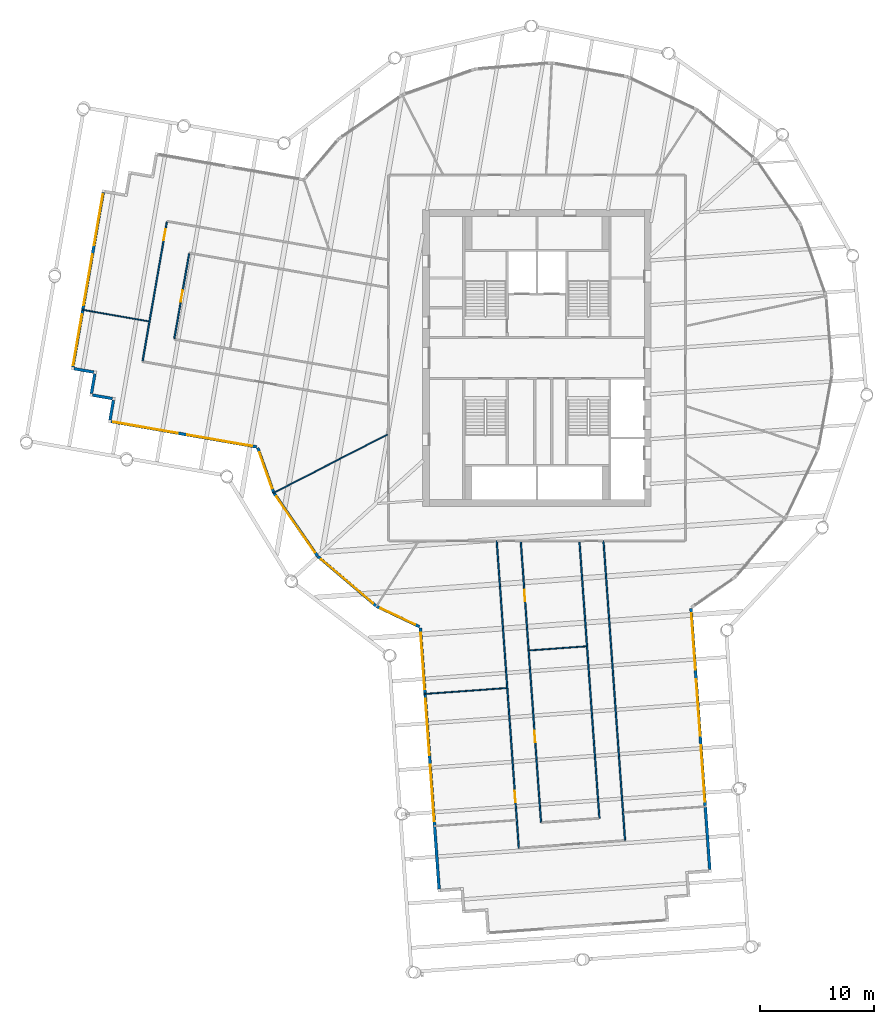
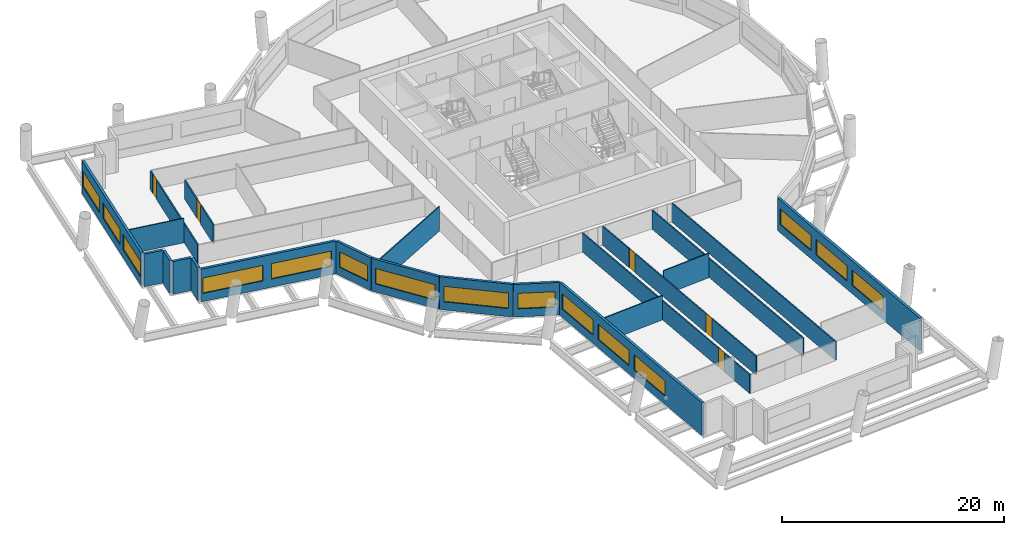
# One storey, part 3 of 11: 22 walls, 15 windows, 5 doors, 20 openings.
"""IFC4 building model written with IfcOpenShell, lengths in metres."""

from ifc_helpers import new_model, si_unit, direction, frame, frame_2d, origin, place, context, subcontext, project, spatial, rectangle, extrude, material, layer, layer_set, type_object, element, fill, save


model = new_model("IFC4")

# Units and contexts
model_context = context("Model", 3, precision=1e-05, world=origin(), true_north=direction((0.0, 1.0)))
body_context = subcontext(model_context, "Body", "Model", "MODEL_VIEW")
ifc_project = project(units=[si_unit("LENGTHUNIT", "METRE"), si_unit("AREAUNIT", "SQUARE_METRE"), si_unit("VOLUMEUNIT", "CUBIC_METRE"), si_unit("PLANEANGLEUNIT", "RADIAN"), si_unit("MASSUNIT", "GRAM", prefix="KILO")], contexts=[model_context])

# Site, building, storey
site_placement = place(None, origin())
site = spatial("IfcSite", under=ifc_project, at=site_placement, CompositionType="ELEMENT")
building_placement = place(site_placement, origin())
building = spatial("IfcBuilding", under=site, at=building_placement, Name="Tarsis Ring Headquarters", CompositionType="ELEMENT")
storey_placement = place(building_placement, frame((0.0, 0.0, 243.300048828125)))
storey = spatial("IfcBuildingStorey", under=building, at=storey_placement, Name="L57", CompositionType="ELEMENT", Elevation=243.300048828125)

# Walls
ifc_material_1 = material(Name="Gypsum board on steel studs", Category="steel")
ifc_layer_1 = layer(ifc_material_1, 0.10009765625)
ifc_layer_set_1 = layer_set([ifc_layer_1], Name="FL partition 100 unrated")
wall_type_1 = type_object("IfcWallType", Name="FL partition 100 unrated", PredefinedType="PARTITIONING", material=ifc_layer_set_1)
wall_1_placement = place(storey_placement, frame((-23.094970703125, -11.82861328125, 0.0), z_axis=(0.0, 0.0, 1.0), x_axis=(0.890050021231, 0.455862873798, 0.0)))
element("IfcWall", 1, at=wall_1_placement, inside=storey, type_object=wall_type_1, Name="Partition PW3", PredefinedType="PARTITIONING", context=body_context, shape_type="SweptSolid", body=[
    extrude(rectangle(XDim=11.251953125, YDim=0.10009765625, at=frame_2d((5.6259765625, 0.0))), origin(), (0.0, 0.0, 1.0), 2.699951171875),
])
wall_2_placement = place(storey_placement, frame((-9.86279296875, -29.404541015625, 0.0), z_axis=(0.0, 0.0, 1.0), x_axis=(0.997417336731, 0.071823787063, 0.0)))
element("IfcWall", 2, at=wall_2_placement, inside=storey, type_object=wall_type_1, Name="Partition PW3", PredefinedType="PARTITIONING", context=body_context, shape_type="SweptSolid", body=[
    extrude(rectangle(XDim=7.2197265625, YDim=0.10009765625, at=frame_2d((3.60986328125, 0.0))), origin(), (0.0, 0.0, 1.0), 2.699951171875),
])
wall_3_placement = place(storey_placement, frame((-39.815673828125, 4.224365234375, 0.0), z_axis=(0.0, 0.0, 1.0), x_axis=(0.985167000364, -0.171598314076, 0.0)))
element("IfcWall", 3, at=wall_3_placement, inside=storey, type_object=wall_type_1, Name="Partition PW3", PredefinedType="PARTITIONING", context=body_context, shape_type="SweptSolid", body=[
    extrude(rectangle(XDim=5.929931640625, YDim=0.10009765625, at=frame_2d((2.96484375, 0.0))), origin(), (0.0, 0.0, 1.0), 2.699951171875),
])
wall_4_placement = place(storey_placement, frame((-0.65283203125, -25.593017578125, 0.0), z_axis=(0.0, 0.0, 1.0), x_axis=(0.997417472469, 0.071821902048, 0.0)))
element("IfcWall", 4, at=wall_4_placement, inside=storey, type_object=wall_type_1, Name="Partition PW3", PredefinedType="PARTITIONING", context=body_context, shape_type="SweptSolid", body=[
    extrude(rectangle(XDim=4.97998046875, YDim=0.10009765625, at=frame_2d((2.489990234375, 0.0))), origin(), (0.0, 0.0, 1.0), 2.699951171875),
])

# Wall, opening, door
ifc_layer_2 = layer(ifc_material_1, 0.125)
ifc_layer_set_2 = layer_set([ifc_layer_2], Name="FL partition 125 EI 60 H2080")
wall_type_2 = type_object("IfcWallType", Name="FL partition 125 EI 60 H2080", PredefinedType="PARTITIONING", material=ifc_layer_set_2)
wall_5_placement = place(storey_placement, frame((-3.51953125, -16.0, 0.0), z_axis=(0.0, 0.0, 1.0), x_axis=(0.071845444716, -0.997415776932, 0.0)))
wall_5 = element("IfcWall", 5, at=wall_5_placement, inside=storey, type_object=wall_type_2, Name="Partition PW1H208", PredefinedType="PARTITIONING", context=body_context, shape_type="SweptSolid", body=[
    extrude(rectangle(XDim=26.964111328125, YDim=0.125, at=frame_2d((13.48193359375, 0.0))), origin(), (0.0, 0.0, 1.0), 2.079833984375),
])
opening_1_placement = place(wall_5_placement, frame((21.943603515625, 0.0, 0.0)))
opening_1 = element("IfcOpeningElement", 6, at=opening_1_placement, cuts=wall_5, Name="Opening D57.11", PredefinedType="OPENING", context=body_context, shape_type="SweptSolid", body=[
    extrude(rectangle(XDim=1.0, YDim=2.10009765625, at=frame_2d((0.5, 1.050048828125))), frame((0.0, 0.072509765625, 0.0), z_axis=(0.0, -1.0, 0.0), x_axis=(1.0, 0.0, 0.0)), (0.0, 0.0, 1.0), 0.14501953125),
])
ifc_material_2 = material(Name="Fire-rated timber door leaf in steel frame", Category="steel")
door_type = type_object("IfcDoorType", Name="FL door FD60-1000", OperationType="NOTDEFINED", PredefinedType="DOOR", material=ifc_material_2)
door_1_placement = place(opening_1_placement, origin())
door_1 = element("IfcDoor", 7, at=door_1_placement, inside=storey, type_object=door_type, Name="Door D57.11", OperationType="SINGLE_SWING_RIGHT", OverallHeight=2.10009765625, OverallWidth=1.0, PredefinedType="DOOR", context=body_context, shape_type="SweptSolid", body=[
    extrude(rectangle(XDim=1.0, YDim=2.10009765625, at=frame_2d((0.5, 1.050048828125))), frame((0.0, 0.02490234375, 0.0), z_axis=(0.0, -1.0, 0.0), x_axis=(1.0, 0.0, 0.0)), (0.0, 0.0, 1.0), 0.050048828125),
])
fill(opening_1, door_1)

# Wall
wall_6_placement = place(storey_placement, frame((5.82470703125, -16.0, 0.0), z_axis=(0.0, 0.0, 1.0), x_axis=(0.071841589456, -0.997416054625, 0.0)))
element("IfcWall", 8, at=wall_6_placement, inside=storey, type_object=wall_type_2, Name="Partition PW1H208", PredefinedType="PARTITIONING", context=body_context, shape_type="SweptSolid", body=[
    extrude(rectangle(XDim=26.292724609375, YDim=0.125, at=frame_2d((13.146484375, 0.0))), origin(), (0.0, 0.0, 1.0), 2.079833984375),
])

# Wall, openings, doors
wall_7_placement = place(storey_placement, frame((-1.4091796875, -16.06982421875, 0.0), z_axis=(0.0, 0.0, 1.0), x_axis=(0.071846189549, -0.997415723281, 0.0)))
wall_7 = element("IfcWall", 9, at=wall_7_placement, inside=storey, type_object=wall_type_2, Name="Partition PW1H208", PredefinedType="PARTITIONING", context=body_context, shape_type="SweptSolid", body=[
    extrude(rectangle(XDim=24.64306640625, YDim=0.125, at=frame_2d((12.321533203125, 0.0))), origin(), (0.0, 0.0, 1.0), 2.079833984375),
])
opening_2_placement = place(wall_7_placement, frame((4.243408203125, 0.0, 0.0)))
opening_2 = element("IfcOpeningElement", 10, at=opening_2_placement, cuts=wall_7, Name="Opening D57.16", PredefinedType="OPENING", context=body_context, shape_type="SweptSolid", body=[
    extrude(rectangle(XDim=1.0, YDim=2.10009765625, at=frame_2d((0.5, 1.050048828125))), frame((0.0, 0.072509765625, 0.0), z_axis=(0.0, -1.0, 0.0), x_axis=(1.0, 0.0, 0.0)), (0.0, 0.0, 1.0), 0.14501953125),
])
opening_3_placement = place(wall_7_placement, frame((16.599853515625, 0.0, 0.0)))
opening_3 = element("IfcOpeningElement", 11, at=opening_3_placement, cuts=wall_7, Name="Opening D57.17", PredefinedType="OPENING", context=body_context, shape_type="SweptSolid", body=[
    extrude(rectangle(XDim=1.0, YDim=2.10009765625, at=frame_2d((0.5, 1.050048828125))), frame((0.0, 0.072509765625, 0.0), z_axis=(0.0, -1.0, 0.0), x_axis=(1.0, 0.0, 0.0)), (0.0, 0.0, 1.0), 0.14501953125),
])
door_2_placement = place(opening_2_placement, origin())
door_2 = element("IfcDoor", 12, at=door_2_placement, inside=storey, type_object=door_type, Name="Door D57.16", OperationType="SINGLE_SWING_LEFT", OverallHeight=2.10009765625, OverallWidth=1.0, PredefinedType="DOOR", context=body_context, shape_type="SweptSolid", body=[
    extrude(rectangle(XDim=1.0, YDim=2.10009765625, at=frame_2d((0.5, 1.050048828125))), frame((0.0, 0.02490234375, 0.0), z_axis=(0.0, -1.0, 0.0), x_axis=(1.0, 0.0, 0.0)), (0.0, 0.0, 1.0), 0.050048828125),
])
fill(opening_2, door_2)
door_3_placement = place(opening_3_placement, origin())
door_3 = element("IfcDoor", 13, at=door_3_placement, inside=storey, type_object=door_type, Name="Door D57.17", OperationType="SINGLE_SWING_RIGHT", OverallHeight=2.10009765625, OverallWidth=1.0, PredefinedType="DOOR", context=body_context, shape_type="SweptSolid", body=[
    extrude(rectangle(XDim=1.0, YDim=2.10009765625, at=frame_2d((0.5, 1.050048828125))), frame((0.0, 0.02490234375, 0.0), z_axis=(0.0, -1.0, 0.0), x_axis=(1.0, 0.0, 0.0)), (0.0, 0.0, 1.0), 0.050048828125),
])
fill(opening_3, door_3)

# Wall
wall_8_placement = place(storey_placement, frame((3.72412109375, -16.06982421875, 0.0), z_axis=(0.0, 0.0, 1.0), x_axis=(0.071851720087, -0.997415324888, 0.0)))
element("IfcWall", 14, at=wall_8_placement, inside=storey, type_object=wall_type_2, Name="Partition PW1H208", PredefinedType="PARTITIONING", context=body_context, shape_type="SweptSolid", body=[
    extrude(rectangle(XDim=24.274169921875, YDim=0.125, at=frame_2d((12.13720703125, 0.0))), origin(), (0.0, 0.0, 1.0), 2.079833984375),
])

# Wall, opening, door
wall_9_placement = place(storey_placement, frame((-34.505126953125, -0.253173828125, 0.0), z_axis=(0.0, 0.0, 1.0), x_axis=(0.171590816748, 0.985168306234, 0.0)))
wall_9 = element("IfcWall", 15, at=wall_9_placement, inside=storey, type_object=wall_type_2, Name="Partition PW1H208", PredefinedType="PARTITIONING", context=body_context, shape_type="SweptSolid", body=[
    extrude(rectangle(XDim=12.340087890625, YDim=0.125, at=frame_2d((6.169921875, 0.0))), origin(), (0.0, 0.0, 1.0), 2.079833984375),
])
opening_4_placement = place(wall_9_placement, frame((10.699951171875, 0.0, 0.0)))
opening_4 = element("IfcOpeningElement", 16, at=opening_4_placement, cuts=wall_9, Name="Opening D57.02", PredefinedType="OPENING", context=body_context, shape_type="SweptSolid", body=[
    extrude(rectangle(XDim=1.0, YDim=2.10009765625, at=frame_2d((0.5, 1.050048828125))), frame((0.0, 0.072509765625, 0.0), z_axis=(0.0, -1.0, 0.0), x_axis=(1.0, 0.0, 0.0)), (0.0, 0.0, 1.0), 0.14501953125),
])
door_4_placement = place(opening_4_placement, origin())
door_4 = element("IfcDoor", 17, at=door_4_placement, inside=storey, type_object=door_type, Name="Door D57.02", OperationType="SINGLE_SWING_LEFT", OverallHeight=2.10009765625, OverallWidth=1.0, PredefinedType="DOOR", context=body_context, shape_type="SweptSolid", body=[
    extrude(rectangle(XDim=1.0, YDim=2.10009765625, at=frame_2d((0.5, 1.050048828125))), frame((0.0, 0.02490234375, 0.0), z_axis=(0.0, -1.0, 0.0), x_axis=(1.0, 0.0, 0.0)), (0.0, 0.0, 1.0), 0.050048828125),
])
fill(opening_4, door_4)

wall_10_placement = place(storey_placement, frame((-31.72900390625, 1.699462890625, 0.0), z_axis=(0.0, 0.0, 1.0), x_axis=(0.171577567942, 0.985170613741, 0.0)))
wall_10 = element("IfcWall", 18, at=wall_10_placement, inside=storey, type_object=wall_type_2, Name="Partition PW1H208", PredefinedType="PARTITIONING", context=body_context, shape_type="SweptSolid", body=[
    extrude(rectangle(XDim=7.5400390625, YDim=0.125, at=frame_2d((3.77001953125, 0.0))), origin(), (0.0, 0.0, 1.0), 2.079833984375),
])
opening_5_placement = place(wall_10_placement, frame((3.27001953125, 0.0, 0.0)))
opening_5 = element("IfcOpeningElement", 19, at=opening_5_placement, cuts=wall_10, Name="Opening D57.15", PredefinedType="OPENING", context=body_context, shape_type="SweptSolid", body=[
    extrude(rectangle(XDim=1.0, YDim=2.10009765625, at=frame_2d((0.5, 1.050048828125))), frame((0.0, 0.072509765625, 0.0), z_axis=(0.0, -1.0, 0.0), x_axis=(1.0, 0.0, 0.0)), (0.0, 0.0, 1.0), 0.14501953125),
])
door_5_placement = place(opening_5_placement, origin())
door_5 = element("IfcDoor", 20, at=door_5_placement, inside=storey, type_object=door_type, Name="Door D57.15", OperationType="SINGLE_SWING_RIGHT", OverallHeight=2.10009765625, OverallWidth=1.0, PredefinedType="DOOR", context=body_context, shape_type="SweptSolid", body=[
    extrude(rectangle(XDim=1.0, YDim=2.10009765625, at=frame_2d((0.5, 1.050048828125))), frame((0.0, 0.02490234375, 0.0), z_axis=(0.0, -1.0, 0.0), x_axis=(1.0, 0.0, 0.0)), (0.0, 0.0, 1.0), 0.050048828125),
])
fill(opening_5, door_5)

# Wall, openings, windows
ifc_material_3 = material(Name="Terracotta clad insulated panel wall", Category="masonry")
ifc_layer_3 = layer(ifc_material_3, 0.25)
ifc_layer_set_3 = layer_set([ifc_layer_3], Name="Facade wall terracotta panel 250")
wall_type_3 = type_object("IfcWallType", Name="Facade wall terracotta panel 250", PredefinedType="STANDARD", material=ifc_layer_set_3)
wall_11_placement = place(storey_placement, frame((-37.25732421875, -5.564697265625, 0.0), z_axis=(0.0, 0.0, 1.0), x_axis=(0.985168181095, -0.171591535215, 0.0)))
wall_11 = element("IfcWall", 21, at=wall_11_placement, inside=storey, type_object=wall_type_3, Name="External wall L57-01", PredefinedType="STANDARD", context=body_context, shape_type="SweptSolid", body=[
    extrude(rectangle(XDim=12.921875, YDim=0.25, at=frame_2d((6.4609375, 0.0))), origin(), (0.0, 0.0, 1.0), 3.599853515625),
])
opening_6_placement = place(wall_11_placement, frame((0.16796875, 0.0, 0.89990234375)))
opening_6 = element("IfcOpeningElement", 22, at=opening_6_placement, cuts=wall_11, Name="Opening WN06", PredefinedType="OPENING", context=body_context, shape_type="SweptSolid", body=[
    extrude(rectangle(XDim=5.75, YDim=1.699951171875, at=frame_2d((2.875, 0.85009765625))), frame((0.0, 0.135009765625, 0.0), z_axis=(0.0, -1.0, 0.0), x_axis=(1.0, 0.0, 0.0)), (0.0, 0.0, 1.0), 0.27001953125),
])
opening_7_placement = place(wall_11_placement, frame((6.75390625, 0.0, 0.89990234375)))
opening_7 = element("IfcOpeningElement", 23, at=opening_7_placement, cuts=wall_11, Name="Opening WN06", PredefinedType="OPENING", context=body_context, shape_type="SweptSolid", body=[
    extrude(rectangle(XDim=5.75, YDim=1.699951171875, at=frame_2d((2.875, 0.85009765625))), frame((0.0, 0.135009765625, 0.0), z_axis=(0.0, -1.0, 0.0), x_axis=(1.0, 0.0, 0.0)), (0.0, 0.0, 1.0), 0.27001953125),
])
ifc_material_4 = material(Name="Aluminium framed double glazing", Category="aluminium")
window_type_1 = type_object("IfcWindowType", Name="Facade window 5750 x 1700", PartitioningType="SINGLE_PANEL", PredefinedType="WINDOW", material=ifc_material_4)
window_1_placement = place(opening_6_placement, origin())
window_1 = element("IfcWindow", 24, at=window_1_placement, inside=storey, type_object=window_type_1, Name="Window L57-01.1", OverallHeight=1.699951171875, OverallWidth=5.75, PartitioningType="SINGLE_PANEL", PredefinedType="WINDOW", context=body_context, shape_type="SweptSolid", body=[
    extrude(rectangle(XDim=5.75, YDim=1.699951171875, at=frame_2d((2.875, 0.85009765625))), frame((0.0, 0.030029296875, 0.0), z_axis=(0.0, -1.0, 0.0), x_axis=(1.0, 0.0, 0.0)), (0.0, 0.0, 1.0), 0.06005859375),
])
fill(opening_6, window_1)
window_2_placement = place(opening_7_placement, origin())
window_2 = element("IfcWindow", 25, at=window_2_placement, inside=storey, type_object=window_type_1, Name="Window L57-01.2", OverallHeight=1.699951171875, OverallWidth=5.75, PartitioningType="SINGLE_PANEL", PredefinedType="WINDOW", context=body_context, shape_type="SweptSolid", body=[
    extrude(rectangle(XDim=5.75, YDim=1.699951171875, at=frame_2d((2.875, 0.85009765625))), frame((0.0, 0.030029296875, 0.0), z_axis=(0.0, -1.0, 0.0), x_axis=(1.0, 0.0, 0.0)), (0.0, 0.0, 1.0), 0.06005859375),
])
fill(opening_7, window_2)

# Wall, opening, window
wall_12_placement = place(storey_placement, frame((-24.4306640625, -7.863037109375, 0.0), z_axis=(0.0, 0.0, 1.0), x_axis=(0.335767192704, -0.941945004925, 0.0)))
wall_12 = element("IfcWall", 26, at=wall_12_placement, inside=storey, type_object=wall_type_3, Name="External wall L57-02", PredefinedType="STANDARD", context=body_context, shape_type="SweptSolid", body=[
    extrude(rectangle(XDim=4.15771484375, YDim=0.25, at=frame_2d((2.078857421875, 0.0))), origin(), (0.0, 0.0, 1.0), 3.599853515625),
])
opening_8_placement = place(wall_12_placement, frame((0.420166015625, 0.0, 0.89990234375)))
opening_8 = element("IfcOpeningElement", 27, at=opening_8_placement, cuts=wall_12, Name="Opening WN01", PredefinedType="OPENING", context=body_context, shape_type="SweptSolid", body=[
    extrude(rectangle(XDim=3.35009765625, YDim=1.699951171875, at=frame_2d((1.675048828125, 0.85009765625))), frame((0.0, 0.135009765625, 0.0), z_axis=(0.0, -1.0, 0.0), x_axis=(1.0, 0.0, 0.0)), (0.0, 0.0, 1.0), 0.27001953125),
])
window_type_2 = type_object("IfcWindowType", Name="Facade window 3350 x 1700", PartitioningType="SINGLE_PANEL", PredefinedType="WINDOW", material=ifc_material_4)
window_3_placement = place(opening_8_placement, origin())
window_3 = element("IfcWindow", 28, at=window_3_placement, inside=storey, type_object=window_type_2, Name="Window L57-02.1", OverallHeight=1.699951171875, OverallWidth=3.35009765625, PartitioningType="SINGLE_PANEL", PredefinedType="WINDOW", context=body_context, shape_type="SweptSolid", body=[
    extrude(rectangle(XDim=3.35009765625, YDim=1.699951171875, at=frame_2d((1.675048828125, 0.85009765625))), frame((0.0, 0.030029296875, 0.0), z_axis=(0.0, -1.0, 0.0), x_axis=(1.0, 0.0, 0.0)), (0.0, 0.0, 1.0), 0.06005859375),
])
fill(opening_8, window_3)

wall_13_placement = place(storey_placement, frame((-23.019775390625, -11.808349609375, 0.0), z_axis=(0.0, 0.0, 1.0), x_axis=(0.568113998988, -0.82294986734, 0.0)))
wall_13 = element("IfcWall", 29, at=wall_13_placement, inside=storey, type_object=wall_type_3, Name="External wall L57-03", PredefinedType="STANDARD", context=body_context, shape_type="SweptSolid", body=[
    extrude(rectangle(XDim=6.721435546875, YDim=0.25, at=frame_2d((3.36083984375, 0.0))), origin(), (0.0, 0.0, 1.0), 3.599853515625),
])
opening_9_placement = place(wall_13_placement, frame((0.3857421875, 0.0, 0.89990234375)))
opening_9 = element("IfcOpeningElement", 30, at=opening_9_placement, cuts=wall_13, Name="Opening WN07", PredefinedType="OPENING", context=body_context, shape_type="SweptSolid", body=[
    extrude(rectangle(XDim=5.949951171875, YDim=1.699951171875, at=frame_2d((2.97509765625, 0.85009765625))), frame((0.0, 0.135009765625, 0.0), z_axis=(0.0, -1.0, 0.0), x_axis=(1.0, 0.0, 0.0)), (0.0, 0.0, 1.0), 0.27001953125),
])
window_type_3 = type_object("IfcWindowType", Name="Facade window 5950 x 1700", PartitioningType="SINGLE_PANEL", PredefinedType="WINDOW", material=ifc_material_4)
window_4_placement = place(opening_9_placement, origin())
window_4 = element("IfcWindow", 31, at=window_4_placement, inside=storey, type_object=window_type_3, Name="Window L57-03.1", OverallHeight=1.699951171875, OverallWidth=5.949951171875, PartitioningType="SINGLE_PANEL", PredefinedType="WINDOW", context=body_context, shape_type="SweptSolid", body=[
    extrude(rectangle(XDim=5.949951171875, YDim=1.699951171875, at=frame_2d((2.97509765625, 0.85009765625))), frame((0.0, 0.030029296875, 0.0), z_axis=(0.0, -1.0, 0.0), x_axis=(1.0, 0.0, 0.0)), (0.0, 0.0, 1.0), 0.06005859375),
])
fill(opening_9, window_4)

wall_14_placement = place(storey_placement, frame((-19.17919921875, -17.364013671875, 0.0), z_axis=(0.0, 0.0, 1.0), x_axis=(0.761763632453, -0.647855051899, 0.0)))
wall_14 = element("IfcWall", 32, at=wall_14_placement, inside=storey, type_object=wall_type_3, Name="External wall L57-04", PredefinedType="STANDARD", context=body_context, shape_type="SweptSolid", body=[
    extrude(rectangle(XDim=6.721435546875, YDim=0.25, at=frame_2d((3.36083984375, 0.0))), origin(), (0.0, 0.0, 1.0), 3.599853515625),
])
opening_10_placement = place(wall_14_placement, frame((0.3857421875, 0.0, 0.89990234375)))
opening_10 = element("IfcOpeningElement", 33, at=opening_10_placement, cuts=wall_14, Name="Opening WN07", PredefinedType="OPENING", context=body_context, shape_type="SweptSolid", body=[
    extrude(rectangle(XDim=5.949951171875, YDim=1.699951171875, at=frame_2d((2.97509765625, 0.85009765625))), frame((0.0, 0.135009765625, 0.0), z_axis=(0.0, -1.0, 0.0), x_axis=(1.0, 0.0, 0.0)), (0.0, 0.0, 1.0), 0.27001953125),
])
window_5_placement = place(opening_10_placement, origin())
window_5 = element("IfcWindow", 34, at=window_5_placement, inside=storey, type_object=window_type_3, Name="Window L57-04.1", OverallHeight=1.699951171875, OverallWidth=5.949951171875, PartitioningType="SINGLE_PANEL", PredefinedType="WINDOW", context=body_context, shape_type="SweptSolid", body=[
    extrude(rectangle(XDim=5.949951171875, YDim=1.699951171875, at=frame_2d((2.97509765625, 0.85009765625))), frame((0.0, 0.030029296875, 0.0), z_axis=(0.0, -1.0, 0.0), x_axis=(1.0, 0.0, 0.0)), (0.0, 0.0, 1.0), 0.06005859375),
])
fill(opening_10, window_5)

wall_15_placement = place(storey_placement, frame((-14.031494140625, -21.736328125, 0.0), z_axis=(0.0, 0.0, 1.0), x_axis=(0.903479392046, -0.428631529577, 0.0)))
wall_15 = element("IfcWall", 35, at=wall_15_placement, inside=storey, type_object=wall_type_3, Name="External wall L57-05", PredefinedType="STANDARD", context=body_context, shape_type="SweptSolid", body=[
    extrude(rectangle(XDim=4.157470703125, YDim=0.25, at=frame_2d((2.07861328125, 0.0))), origin(), (0.0, 0.0, 1.0), 3.599853515625),
])
opening_11_placement = place(wall_15_placement, frame((0.38720703125, 0.0, 0.89990234375)))
opening_11 = element("IfcOpeningElement", 36, at=opening_11_placement, cuts=wall_15, Name="Opening WN01", PredefinedType="OPENING", context=body_context, shape_type="SweptSolid", body=[
    extrude(rectangle(XDim=3.35009765625, YDim=1.699951171875, at=frame_2d((1.675048828125, 0.85009765625))), frame((0.0, 0.135009765625, 0.0), z_axis=(0.0, -1.0, 0.0), x_axis=(1.0, 0.0, 0.0)), (0.0, 0.0, 1.0), 0.27001953125),
])
window_6_placement = place(opening_11_placement, origin())
window_6 = element("IfcWindow", 37, at=window_6_placement, inside=storey, type_object=window_type_2, Name="Window L57-05.1", OverallHeight=1.699951171875, OverallWidth=3.35009765625, PartitioningType="SINGLE_PANEL", PredefinedType="WINDOW", context=body_context, shape_type="SweptSolid", body=[
    extrude(rectangle(XDim=3.35009765625, YDim=1.699951171875, at=frame_2d((1.675048828125, 0.85009765625))), frame((0.0, 0.030029296875, 0.0), z_axis=(0.0, -1.0, 0.0), x_axis=(1.0, 0.0, 0.0)), (0.0, 0.0, 1.0), 0.06005859375),
])
fill(opening_11, window_6)

# Wall, openings, windows
wall_16_placement = place(storey_placement, frame((-10.2041015625, -23.6220703125, 0.0), z_axis=(0.0, 0.0, 1.0), x_axis=(0.071840461275, -0.997416135885, 0.0)))
wall_16 = element("IfcWall", 38, at=wall_16_placement, inside=storey, type_object=wall_type_3, Name="External wall L57-06", PredefinedType="STANDARD", context=body_context, shape_type="SweptSolid", body=[
    extrude(rectangle(XDim=22.922119140625, YDim=0.25, at=frame_2d((11.4609375, 0.0))), origin(), (0.0, 0.0, 1.0), 3.599853515625),
])
opening_12_placement = place(wall_16_placement, frame((0.42138671875, 0.0, 0.89990234375)))
opening_12 = element("IfcOpeningElement", 39, at=opening_12_placement, cuts=wall_16, Name="Opening WN05", PredefinedType="OPENING", context=body_context, shape_type="SweptSolid", body=[
    extrude(rectangle(XDim=4.949951171875, YDim=1.699951171875, at=frame_2d((2.47509765625, 0.85009765625))), frame((0.0, 0.135009765625, 0.0), z_axis=(0.0, -1.0, 0.0), x_axis=(1.0, 0.0, 0.0)), (0.0, 0.0, 1.0), 0.27001953125),
])
opening_13_placement = place(wall_16_placement, frame((6.214599609375, 0.0, 0.89990234375)))
opening_13 = element("IfcOpeningElement", 40, at=opening_13_placement, cuts=wall_16, Name="Opening WN05", PredefinedType="OPENING", context=body_context, shape_type="SweptSolid", body=[
    extrude(rectangle(XDim=4.949951171875, YDim=1.699951171875, at=frame_2d((2.47509765625, 0.85009765625))), frame((0.0, 0.135009765625, 0.0), z_axis=(0.0, -1.0, 0.0), x_axis=(1.0, 0.0, 0.0)), (0.0, 0.0, 1.0), 0.27001953125),
])
opening_14_placement = place(wall_16_placement, frame((12.007568359375, 0.0, 0.89990234375)))
opening_14 = element("IfcOpeningElement", 41, at=opening_14_placement, cuts=wall_16, Name="Opening WN05", PredefinedType="OPENING", context=body_context, shape_type="SweptSolid", body=[
    extrude(rectangle(XDim=4.949951171875, YDim=1.699951171875, at=frame_2d((2.47509765625, 0.85009765625))), frame((0.0, 0.135009765625, 0.0), z_axis=(0.0, -1.0, 0.0), x_axis=(1.0, 0.0, 0.0)), (0.0, 0.0, 1.0), 0.27001953125),
])
window_type_4 = type_object("IfcWindowType", Name="Facade window 4950 x 1700", PartitioningType="SINGLE_PANEL", PredefinedType="WINDOW", material=ifc_material_4)
window_7_placement = place(opening_12_placement, origin())
window_7 = element("IfcWindow", 42, at=window_7_placement, inside=storey, type_object=window_type_4, Name="Window L57-06.1", OverallHeight=1.699951171875, OverallWidth=4.949951171875, PartitioningType="SINGLE_PANEL", PredefinedType="WINDOW", context=body_context, shape_type="SweptSolid", body=[
    extrude(rectangle(XDim=4.949951171875, YDim=1.699951171875, at=frame_2d((2.47509765625, 0.85009765625))), frame((0.0, 0.030029296875, 0.0), z_axis=(0.0, -1.0, 0.0), x_axis=(1.0, 0.0, 0.0)), (0.0, 0.0, 1.0), 0.06005859375),
])
fill(opening_12, window_7)
window_8_placement = place(opening_13_placement, origin())
window_8 = element("IfcWindow", 43, at=window_8_placement, inside=storey, type_object=window_type_4, Name="Window L57-06.2", OverallHeight=1.699951171875, OverallWidth=4.949951171875, PartitioningType="SINGLE_PANEL", PredefinedType="WINDOW", context=body_context, shape_type="SweptSolid", body=[
    extrude(rectangle(XDim=4.949951171875, YDim=1.699951171875, at=frame_2d((2.47509765625, 0.85009765625))), frame((0.0, 0.030029296875, 0.0), z_axis=(0.0, -1.0, 0.0), x_axis=(1.0, 0.0, 0.0)), (0.0, 0.0, 1.0), 0.06005859375),
])
fill(opening_13, window_8)
window_9_placement = place(opening_14_placement, origin())
window_9 = element("IfcWindow", 44, at=window_9_placement, inside=storey, type_object=window_type_4, Name="Window L57-06.3", OverallHeight=1.699951171875, OverallWidth=4.949951171875, PartitioningType="SINGLE_PANEL", PredefinedType="WINDOW", context=body_context, shape_type="SweptSolid", body=[
    extrude(rectangle(XDim=4.949951171875, YDim=1.699951171875, at=frame_2d((2.47509765625, 0.85009765625))), frame((0.0, 0.030029296875, 0.0), z_axis=(0.0, -1.0, 0.0), x_axis=(1.0, 0.0, 0.0)), (0.0, 0.0, 1.0), 0.06005859375),
])
fill(opening_14, window_9)

wall_17_placement = place(storey_placement, frame((15.13134765625, -44.778564453125, 0.0), z_axis=(0.0, 0.0, 1.0), x_axis=(-0.071852363457, 0.99741527854, 0.0)))
wall_17 = element("IfcWall", 45, at=wall_17_placement, inside=storey, type_object=wall_type_3, Name="External wall L57-16", PredefinedType="STANDARD", context=body_context, shape_type="SweptSolid", body=[
    extrude(rectangle(XDim=22.901123046875, YDim=0.25, at=frame_2d((11.45068359375, 0.0))), origin(), (0.0, 0.0, 1.0), 3.599853515625),
])
opening_15_placement = place(wall_17_placement, frame((5.956787109375, 0.0, 0.89990234375)))
opening_15 = element("IfcOpeningElement", 46, at=opening_15_placement, cuts=wall_17, Name="Opening WN05", PredefinedType="OPENING", context=body_context, shape_type="SweptSolid", body=[
    extrude(rectangle(XDim=4.949951171875, YDim=1.699951171875, at=frame_2d((2.47509765625, 0.85009765625))), frame((0.0, 0.135009765625, 0.0), z_axis=(0.0, -1.0, 0.0), x_axis=(1.0, 0.0, 0.0)), (0.0, 0.0, 1.0), 0.27001953125),
])
opening_16_placement = place(wall_17_placement, frame((11.74462890625, 0.0, 0.89990234375)))
opening_16 = element("IfcOpeningElement", 47, at=opening_16_placement, cuts=wall_17, Name="Opening WN05", PredefinedType="OPENING", context=body_context, shape_type="SweptSolid", body=[
    extrude(rectangle(XDim=4.949951171875, YDim=1.699951171875, at=frame_2d((2.47509765625, 0.85009765625))), frame((0.0, 0.135009765625, 0.0), z_axis=(0.0, -1.0, 0.0), x_axis=(1.0, 0.0, 0.0)), (0.0, 0.0, 1.0), 0.27001953125),
])
opening_17_placement = place(wall_17_placement, frame((17.532470703125, 0.0, 0.89990234375)))
opening_17 = element("IfcOpeningElement", 48, at=opening_17_placement, cuts=wall_17, Name="Opening WN05", PredefinedType="OPENING", context=body_context, shape_type="SweptSolid", body=[
    extrude(rectangle(XDim=4.949951171875, YDim=1.699951171875, at=frame_2d((2.47509765625, 0.85009765625))), frame((0.0, 0.135009765625, 0.0), z_axis=(0.0, -1.0, 0.0), x_axis=(1.0, 0.0, 0.0)), (0.0, 0.0, 1.0), 0.27001953125),
])
window_10_placement = place(opening_15_placement, origin())
window_10 = element("IfcWindow", 49, at=window_10_placement, inside=storey, type_object=window_type_4, Name="Window L57-16.2", OverallHeight=1.699951171875, OverallWidth=4.949951171875, PartitioningType="SINGLE_PANEL", PredefinedType="WINDOW", context=body_context, shape_type="SweptSolid", body=[
    extrude(rectangle(XDim=4.949951171875, YDim=1.699951171875, at=frame_2d((2.47509765625, 0.85009765625))), frame((0.0, 0.030029296875, 0.0), z_axis=(0.0, -1.0, 0.0), x_axis=(1.0, 0.0, 0.0)), (0.0, 0.0, 1.0), 0.06005859375),
])
fill(opening_15, window_10)
window_11_placement = place(opening_16_placement, origin())
window_11 = element("IfcWindow", 50, at=window_11_placement, inside=storey, type_object=window_type_4, Name="Window L57-16.3", OverallHeight=1.699951171875, OverallWidth=4.949951171875, PartitioningType="SINGLE_PANEL", PredefinedType="WINDOW", context=body_context, shape_type="SweptSolid", body=[
    extrude(rectangle(XDim=4.949951171875, YDim=1.699951171875, at=frame_2d((2.47509765625, 0.85009765625))), frame((0.0, 0.030029296875, 0.0), z_axis=(0.0, -1.0, 0.0), x_axis=(1.0, 0.0, 0.0)), (0.0, 0.0, 1.0), 0.06005859375),
])
fill(opening_16, window_11)
window_12_placement = place(opening_17_placement, origin())
window_12 = element("IfcWindow", 51, at=window_12_placement, inside=storey, type_object=window_type_4, Name="Window L57-16.4", OverallHeight=1.699951171875, OverallWidth=4.949951171875, PartitioningType="SINGLE_PANEL", PredefinedType="WINDOW", context=body_context, shape_type="SweptSolid", body=[
    extrude(rectangle(XDim=4.949951171875, YDim=1.699951171875, at=frame_2d((2.47509765625, 0.85009765625))), frame((0.0, 0.030029296875, 0.0), z_axis=(0.0, -1.0, 0.0), x_axis=(1.0, 0.0, 0.0)), (0.0, 0.0, 1.0), 0.06005859375),
])
fill(opening_17, window_12)

wall_18_placement = place(storey_placement, frame((-37.953857421875, 14.47705078125, 0.0), z_axis=(0.0, 0.0, 1.0), x_axis=(-0.171589772639, -0.98516848809, 0.0)))
wall_18 = element("IfcWall", 52, at=wall_18_placement, inside=storey, type_object=wall_type_3, Name="External wall L57-36", PredefinedType="STANDARD", context=body_context, shape_type="SweptSolid", body=[
    extrude(rectangle(XDim=15.500244140625, YDim=0.25, at=frame_2d((7.75, 0.0))), origin(), (0.0, 0.0, 1.0), 3.599853515625),
])
opening_18_placement = place(wall_18_placement, frame((0.166748046875, 0.0, 0.89990234375)))
opening_18 = element("IfcOpeningElement", 53, at=opening_18_placement, cuts=wall_18, Name="Opening WN04", PredefinedType="OPENING", context=body_context, shape_type="SweptSolid", body=[
    extrude(rectangle(XDim=4.5, YDim=1.699951171875, at=frame_2d((2.25, 0.85009765625))), frame((0.0, 0.135009765625, 0.0), z_axis=(0.0, -1.0, 0.0), x_axis=(1.0, 0.0, 0.0)), (0.0, 0.0, 1.0), 0.27001953125),
])
opening_19_placement = place(wall_18_placement, frame((5.5, 0.0, 0.89990234375)))
opening_19 = element("IfcOpeningElement", 54, at=opening_19_placement, cuts=wall_18, Name="Opening WN04", PredefinedType="OPENING", context=body_context, shape_type="SweptSolid", body=[
    extrude(rectangle(XDim=4.5, YDim=1.699951171875, at=frame_2d((2.25, 0.85009765625))), frame((0.0, 0.135009765625, 0.0), z_axis=(0.0, -1.0, 0.0), x_axis=(1.0, 0.0, 0.0)), (0.0, 0.0, 1.0), 0.27001953125),
])
opening_20_placement = place(wall_18_placement, frame((10.833251953125, 0.0, 0.89990234375)))
opening_20 = element("IfcOpeningElement", 55, at=opening_20_placement, cuts=wall_18, Name="Opening WN04", PredefinedType="OPENING", context=body_context, shape_type="SweptSolid", body=[
    extrude(rectangle(XDim=4.5, YDim=1.699951171875, at=frame_2d((2.25, 0.85009765625))), frame((0.0, 0.135009765625, 0.0), z_axis=(0.0, -1.0, 0.0), x_axis=(1.0, 0.0, 0.0)), (0.0, 0.0, 1.0), 0.27001953125),
])
window_type_5 = type_object("IfcWindowType", Name="Facade window 4500 x 1700", PartitioningType="SINGLE_PANEL", PredefinedType="WINDOW", material=ifc_material_4)
window_13_placement = place(opening_18_placement, origin())
window_13 = element("IfcWindow", 56, at=window_13_placement, inside=storey, type_object=window_type_5, Name="Window L57-36.1", OverallHeight=1.699951171875, OverallWidth=4.5, PartitioningType="SINGLE_PANEL", PredefinedType="WINDOW", context=body_context, shape_type="SweptSolid", body=[
    extrude(rectangle(XDim=4.5, YDim=1.699951171875, at=frame_2d((2.25, 0.85009765625))), frame((0.0, 0.030029296875, 0.0), z_axis=(0.0, -1.0, 0.0), x_axis=(1.0, 0.0, 0.0)), (0.0, 0.0, 1.0), 0.06005859375),
])
fill(opening_18, window_13)
window_14_placement = place(opening_19_placement, origin())
window_14 = element("IfcWindow", 57, at=window_14_placement, inside=storey, type_object=window_type_5, Name="Window L57-36.2", OverallHeight=1.699951171875, OverallWidth=4.5, PartitioningType="SINGLE_PANEL", PredefinedType="WINDOW", context=body_context, shape_type="SweptSolid", body=[
    extrude(rectangle(XDim=4.5, YDim=1.699951171875, at=frame_2d((2.25, 0.85009765625))), frame((0.0, 0.030029296875, 0.0), z_axis=(0.0, -1.0, 0.0), x_axis=(1.0, 0.0, 0.0)), (0.0, 0.0, 1.0), 0.06005859375),
])
fill(opening_19, window_14)
window_15_placement = place(opening_20_placement, origin())
window_15 = element("IfcWindow", 58, at=window_15_placement, inside=storey, type_object=window_type_5, Name="Window L57-36.3", OverallHeight=1.699951171875, OverallWidth=4.5, PartitioningType="SINGLE_PANEL", PredefinedType="WINDOW", context=body_context, shape_type="SweptSolid", body=[
    extrude(rectangle(XDim=4.5, YDim=1.699951171875, at=frame_2d((2.25, 0.85009765625))), frame((0.0, 0.030029296875, 0.0), z_axis=(0.0, -1.0, 0.0), x_axis=(1.0, 0.0, 0.0)), (0.0, 0.0, 1.0), 0.06005859375),
])
fill(opening_20, window_15)

# Walls
for number, where, z_axis, x_axis, name in (
    (59, (-40.51171875, -0.937744140625, 0.0), (0.0, 0.0, 1.0), (0.985168721095, -0.171588434855, 0.0), "External wall L57-37"),
    (60, (-38.68603515625, -1.382568359375, 0.0), (0.0, 0.0, 1.0), (-0.171588434855, -0.985168721095, 0.0), "External wall L57-38"),
    (61, (-38.884521484375, -3.251220703125, 0.0), (0.0, 0.0, 1.0), (0.985168721095, -0.171588434855, 0.0), "External wall L57-39"),
    (62, (-37.058837890625, -3.696044921875, 0.0), (0.0, 0.0, 1.0), (-0.171588434855, -0.985168721095, 0.0), "External wall L57-40"),
):
    element("IfcWall", number, at=place(storey_placement, frame(where, z_axis=z_axis, x_axis=x_axis)), inside=storey, type_object=wall_type_3, Name=name, PredefinedType="STANDARD", context=body_context, shape_type="SweptSolid", body=[
        extrude(rectangle(XDim=1.75, YDim=0.25, at=frame_2d((0.875, 0.0))), origin(), (0.0, 0.0, 1.0), 3.599853515625),
    ])

save(model, "model.ifc")
